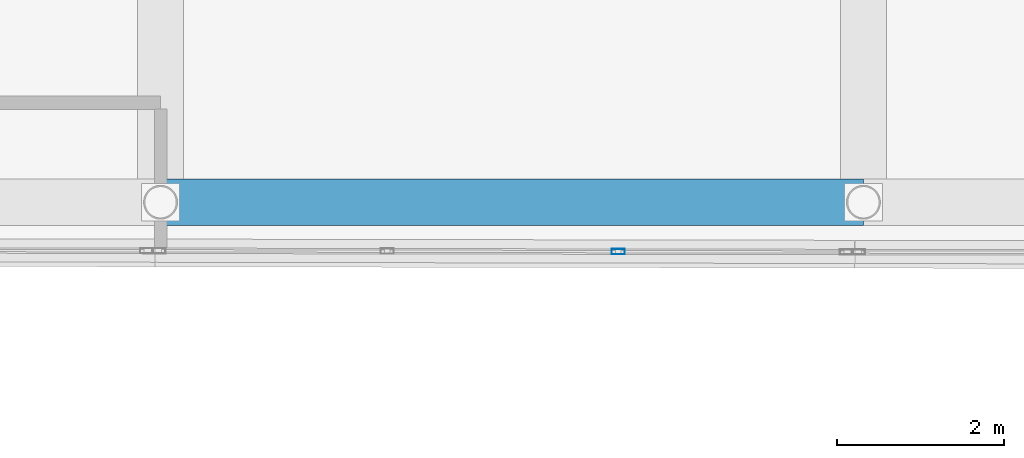
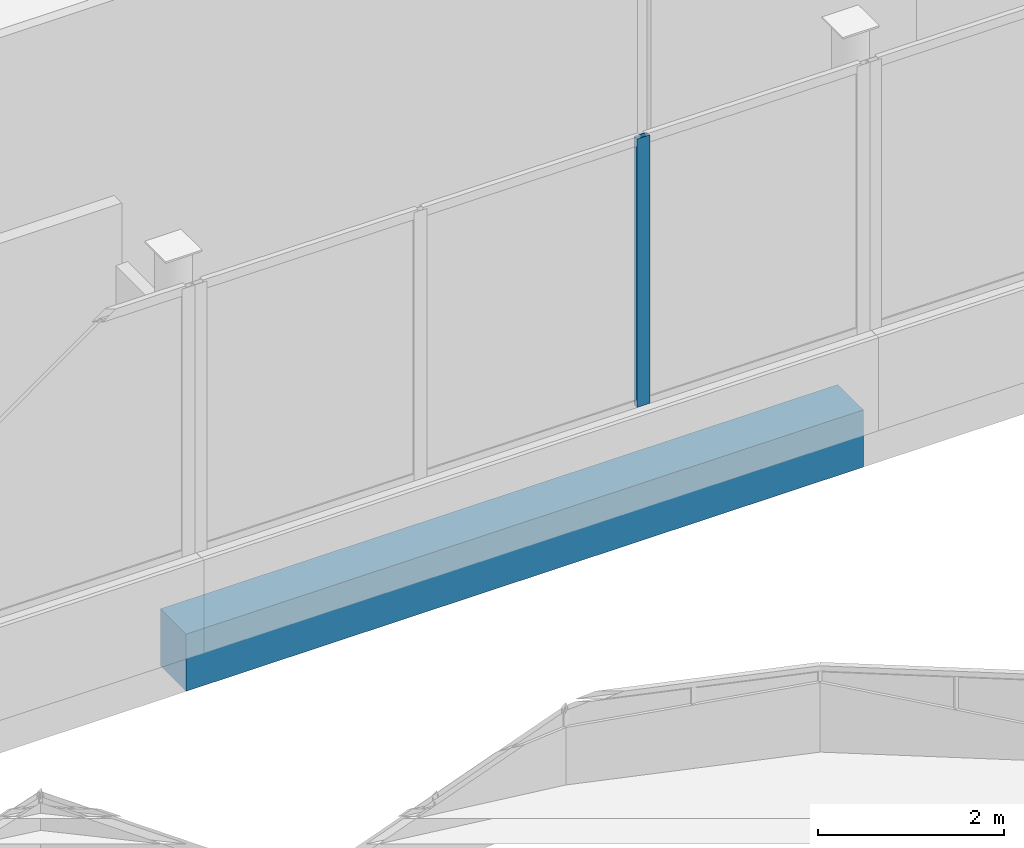
# One storey, part 29 of 155: 1 beam, 1 member, 1 element without a shape of its own.
"""IFC4 building model written with IfcOpenShell, lengths in metres."""

from ifc_helpers import new_model, si_unit, direction, frame, origin, origin_2d, place, context, subcontext, project, spatial, rectangle, hollow_rectangle, extrude, material, material_profile, profile_set, type_object, element, aggregate, save


model = new_model("IFC4")

# Units and contexts
model_context = context("Model", 3, precision=1e-05, world=origin(), true_north=direction((0.0, 1.0)))
body_context = subcontext(model_context, "Body", "Model", "MODEL_VIEW")
ifc_project = project(units=[si_unit("LENGTHUNIT", "METRE"), si_unit("AREAUNIT", "SQUARE_METRE"), si_unit("VOLUMEUNIT", "CUBIC_METRE"), si_unit("PLANEANGLEUNIT", "RADIAN"), si_unit("MASSUNIT", "GRAM", prefix="KILO")], contexts=[model_context])

# Site, building, storey
site_placement = place(None, origin())
site = spatial("IfcSite", under=ifc_project, at=site_placement, CompositionType="ELEMENT")
building_placement = place(site_placement, origin())
building = spatial("IfcBuilding", under=site, at=building_placement, Name="Selatvlak General Hospital", CompositionType="ELEMENT")
storey_placement = place(building_placement, frame((0.0, 0.0, 10.199951171875)))
storey = spatial("IfcBuildingStorey", under=building, at=storey_placement, Name="L02", CompositionType="ELEMENT", Elevation=10.199951171875)

# Beam
ifc_material_1 = material(Name="Concrete C40/50", Category="concrete")
ifc_material_profile_1 = material_profile(ifc_material_1, rectangle(XDim=0.550048828125, YDim=0.75, at=origin_2d()), Name="RC-BM 550x750")
ifc_profile_set_1 = profile_set([ifc_material_profile_1], Name="Concrete C40/50")
beam_type = type_object("IfcBeamType", Name="BM-G02", PredefinedType="BEAM", material=ifc_profile_set_1)
beam_placement = place(storey_placement, frame((39.60009765625, 52.550048828125, -0.72998046875), z_axis=(1.0, 0.0, 0.0), x_axis=(0.0, 1.0, 0.0)))
element("IfcBeam", 1, at=beam_placement, inside=storey, type_object=beam_type, Name="Beam BMR-L02-0769", PredefinedType="BEAM", context=body_context, shape_type="SweptSolid", body=[
    extrude(rectangle(XDim=0.550048828125, YDim=0.75, at=origin_2d()), origin(), (0.0, 0.0, 1.0), 8.39990234375),
])

# Curtain wall, member
ifc_material_2 = material(Name="Solar-control Low-E double glazing", Category="glass")
curtain_wall_type = type_object("IfcCurtainWallType", Name="CW-CW-02", PredefinedType="USERDEFINED", material=ifc_material_2)
curtain_wall_placement = place(storey_placement, origin())
curtain_wall = element("IfcCurtainWall", 2, at=curtain_wall_placement, inside=storey, type_object=curtain_wall_type, Name="Glazed facade curtain wall CW-L02-0343", ObjectType="UNITISED CURTAIN WALL", PredefinedType="USERDEFINED")
ifc_material_3 = material(Name="Dark anodised aluminium mullion", Category="aluminium")
ifc_material_profile_2 = material_profile(ifc_material_3, hollow_rectangle(XDim=0.06494140625, YDim=0.159912109375, WallThickness=0.00390625, at=origin_2d()), Name="AL-MUL 65x160x4")
ifc_profile_set_2 = profile_set([ifc_material_profile_2], Name="Dark anodised aluminium mullion")
member_type = type_object("IfcMemberType", Name="CWM-01", PredefinedType="MULLION", material=ifc_profile_set_2)
member_placement = place(storey_placement, frame((45.0693359375, 51.9599609375, 0.93994140625), z_axis=(0.0, 0.0, 1.0), x_axis=(-0.001811153756, -0.99999835986, 0.0)))
member = element("IfcMember", 3, at=member_placement, type_object=member_type, Name="CW-02 mullion 2", PredefinedType="MULLION", context=body_context, shape_type="SweptSolid", body=[
    extrude(hollow_rectangle(XDim=0.06494140625, YDim=0.159912109375, WallThickness=0.00390625, at=origin_2d()), origin(), (0.0, 0.0, 1.0), 3.52001953125),
])
aggregate(curtain_wall, [member])

save(model, "model.ifc")
